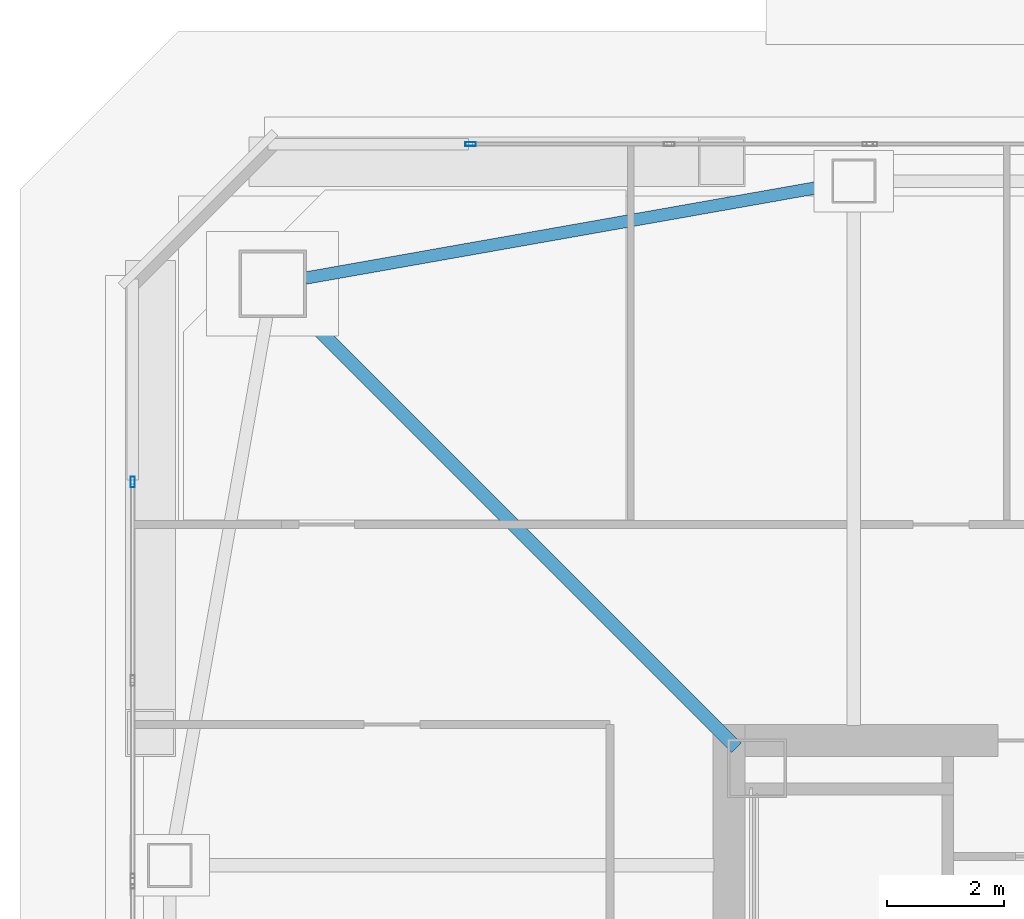
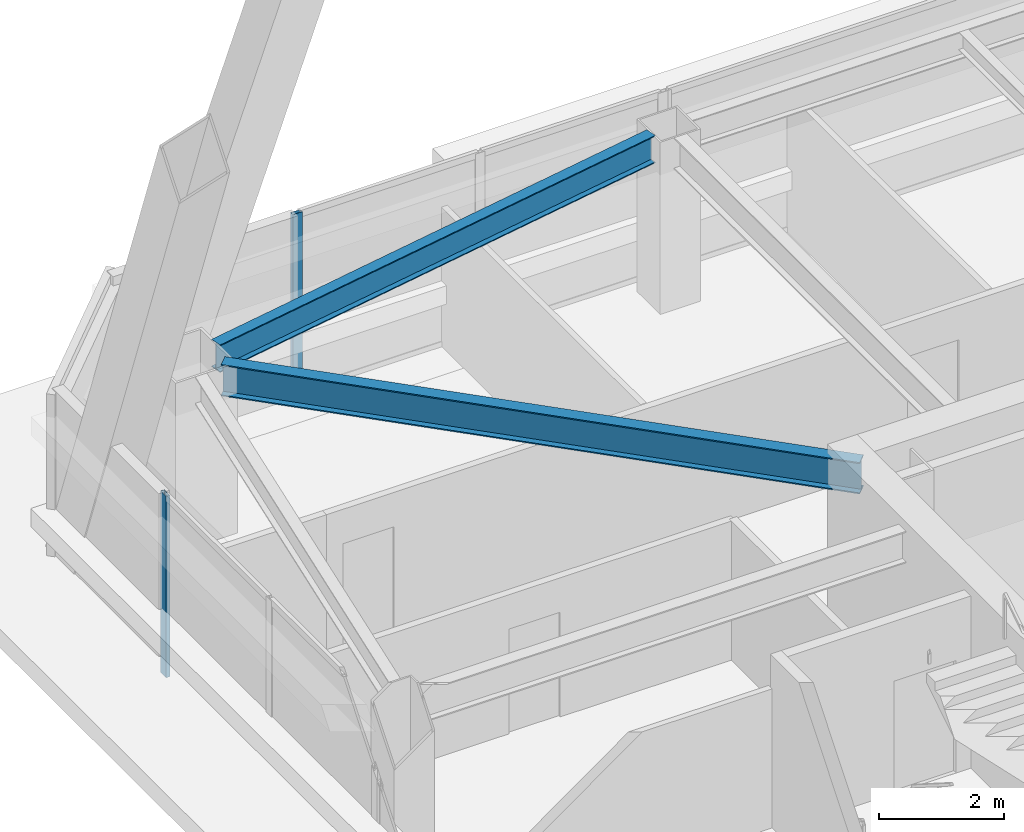
# One storey, part 18 of 65: 2 beams, 2 members, 2 elements without a shape of their own.
"""IFC4 building model written with IfcOpenShell, lengths in metres."""

from ifc_helpers import new_model, si_unit, direction, frame, origin, origin_2d, place, context, subcontext, project, spatial, hollow_rectangle, i_section, extrude, material, material_profile, profile_set, type_object, element, aggregate, save


model = new_model("IFC4")

# Units and contexts
model_context = context("Model", 3, precision=1e-05, world=origin(), true_north=direction((0.0, 1.0)))
body_context = subcontext(model_context, "Body", "Model", "MODEL_VIEW")
ifc_project = project(units=[si_unit("LENGTHUNIT", "METRE"), si_unit("AREAUNIT", "SQUARE_METRE"), si_unit("VOLUMEUNIT", "CUBIC_METRE"), si_unit("PLANEANGLEUNIT", "RADIAN"), si_unit("MASSUNIT", "GRAM", prefix="KILO")], contexts=[model_context])

# Site, building, storey
site_placement = place(None, origin())
site = spatial("IfcSite", under=ifc_project, at=site_placement, CompositionType="ELEMENT")
building_placement = place(site_placement, origin())
building = spatial("IfcBuilding", under=site, at=building_placement, Name="Tashvorn Skyway Center", CompositionType="ELEMENT")
storey_placement = place(building_placement, frame((0.0, 0.0, 157.0)))
storey = spatial("IfcBuildingStorey", under=building, at=storey_placement, Name="L42", CompositionType="ELEMENT", Elevation=157.0)

# Beams
ifc_material_1 = material(Name="Steel ASTM A992 Grade 50", Category="steel")
ifc_material_profile_1 = material_profile(ifc_material_1, i_section(OverallWidth=0.22998046875, OverallDepth=0.616943359375, WebThickness=0.01318359375, FlangeThickness=0.022216796875, at=origin_2d()), Name="W24X94")
ifc_profile_set_1 = profile_set([ifc_material_profile_1], Name="Steel ASTM A992 Grade 50")
beam_type_1 = type_object("IfcBeamType", Name="BM-BEAM-W24X94", PredefinedType="BEAM", material=ifc_profile_set_1)
beam_1_placement = place(storey_placement, frame((27.10302734375, 46.89697265625, 3.0615234375), z_axis=(0.707106781187, -0.707106781187, 0.0), x_axis=(0.707106781187, 0.707106781187, 0.0)))
element("IfcBeam", 1, at=beam_1_placement, inside=storey, type_object=beam_type_1, Name="Tower 1 L42 Primary Floor Girder MC-NW", PredefinedType="BEAM", context=body_context, shape_type="SweptSolid", body=[
    extrude(i_section(OverallWidth=0.22998046875, OverallDepth=0.616943359375, WebThickness=0.01318359375, FlangeThickness=0.022216796875, at=origin_2d()), origin(), (0.0, 0.0, 1.0), 10.6025390625),
])
ifc_material_profile_2 = material_profile(ifc_material_1, i_section(OverallWidth=0.2109375, OverallDepth=0.5390625, WebThickness=0.01171875, FlangeThickness=0.018798828125, at=origin_2d()), Name="W21X73")
ifc_profile_set_2 = profile_set([ifc_material_profile_2], Name="Steel ASTM A992 Grade 50")
beam_type_2 = type_object("IfcBeamType", Name="BM-SPANDREL-W21X73", PredefinedType="SPANDREL", material=ifc_profile_set_2)
beam_2_placement = place(storey_placement, frame((36.235595703125, 48.985595703125, 3.1005859375), z_axis=(-0.984732545667, -0.174074160933, 0.0), x_axis=(0.174074160933, -0.984732545667, 0.0)))
element("IfcBeam", 2, at=beam_2_placement, inside=storey, type_object=beam_type_2, Name="Tower 1 L42 Spandrel Beam 09", PredefinedType="SPANDREL", context=body_context, shape_type="SweptSolid", body=[
    extrude(i_section(OverallWidth=0.2109375, OverallDepth=0.5390625, WebThickness=0.01171875, FlangeThickness=0.018798828125, at=origin_2d()), origin(), (0.0, 0.0, 1.0), 9.113525390625),
])

# Curtain wall, member
ifc_material_2 = material(Name="Thermally broken bronze-anodized aluminium 6063-T6", Category="aluminium")
curtain_wall_type = type_object("IfcCurtainWallType", Name="CW-CW-Z4", PredefinedType="NOTDEFINED", material=ifc_material_2)
curtain_wall_1_placement = place(storey_placement, origin())
curtain_wall_1 = element("IfcCurtainWall", 3, at=curtain_wall_1_placement, inside=storey, type_object=curtain_wall_type, Name="Tower 1 L42 West Unitised Curtain Wall Glazing Group 3", PredefinedType="NOTDEFINED")
ifc_material_profile_3 = material_profile(ifc_material_2, hollow_rectangle(XDim=0.070068359375, YDim=0.179931640625, WallThickness=0.00390625, at=origin_2d()), Name="ALU-MULL-70x180")
ifc_profile_set_3 = profile_set([ifc_material_profile_3], Name="Thermally broken bronze-anodized aluminium 6063-T6")
member_type = type_object("IfcMemberType", Name="CWM-CW-Z4", PredefinedType="MULLION", material=ifc_profile_set_3)
member_1_placement = place(storey_placement, frame((24.320068359375, 43.92724609375, 0.0), z_axis=(0.0, 0.0, 1.0), x_axis=(-1.0, 0.0, 0.0)))
member_1 = element("IfcMember", 4, at=member_1_placement, type_object=member_type, Name="CW-Z4 mullion 3", PredefinedType="MULLION", context=body_context, shape_type="SweptSolid", body=[
    extrude(hollow_rectangle(XDim=0.070068359375, YDim=0.179931640625, WallThickness=0.00390625, at=origin_2d()), origin(), (0.0, 0.0, 1.0), 3.550048828125),
])
aggregate(curtain_wall_1, [member_1])

curtain_wall_2_placement = place(storey_placement, origin())
curtain_wall_2 = element("IfcCurtainWall", 5, at=curtain_wall_2_placement, inside=storey, type_object=curtain_wall_type, Name="Tower 1 L42 North Unitised Curtain Wall Glazing Group 1", PredefinedType="NOTDEFINED")
member_2_placement = place(storey_placement, frame((30.07275390625, 49.679931640625, 0.0), z_axis=(0.0, 0.0, 1.0), x_axis=(0.0, 1.0, 0.0)))
member_2 = element("IfcMember", 6, at=member_2_placement, type_object=member_type, Name="CW-Z4 mullion 1", PredefinedType="MULLION", context=body_context, shape_type="SweptSolid", body=[
    extrude(hollow_rectangle(XDim=0.070068359375, YDim=0.179931640625, WallThickness=0.00390625, at=origin_2d()), origin(), (0.0, 0.0, 1.0), 3.550048828125),
])
aggregate(curtain_wall_2, [member_2])

save(model, "model.ifc")
